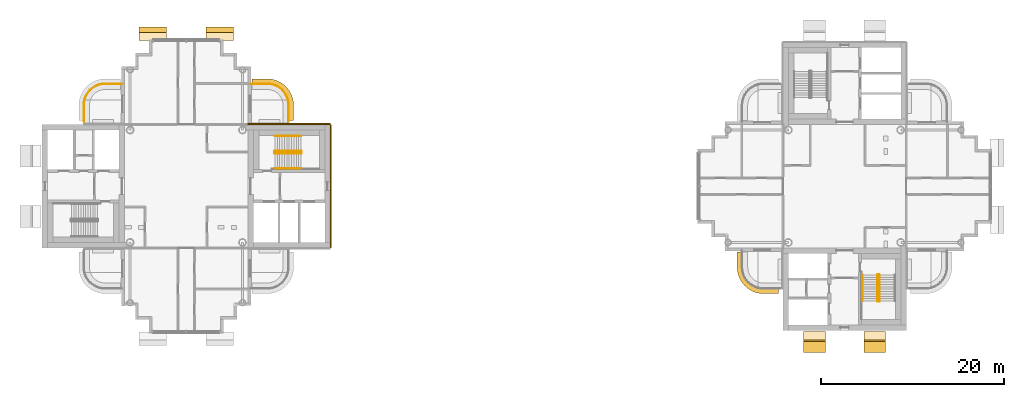
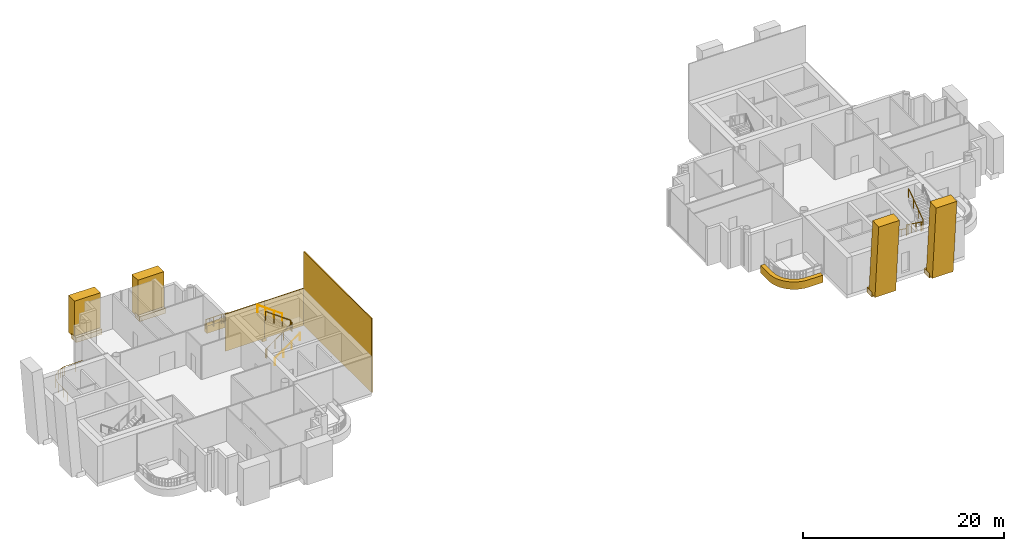
# One storey, part 17 of 20: 13 coverings, 7 railings.
"""IFC4 building model written with IfcOpenShell, lengths in metres."""

from ifc_helpers import new_model, si_unit, direction, frame, origin, origin_2d, place, context, subcontext, project, spatial, polyline, rectangle, circle, outline, extrude, material, layer, layer_set, material_profile, profile_set, type_object, element, save


model = new_model("IFC4")

# Units and contexts
model_context = context("Model", 3, precision=1e-05, world=origin(), true_north=direction((0.0, 1.0)))
body_context = subcontext(model_context, "Body", "Model", "MODEL_VIEW")
ifc_project = project(units=[si_unit("LENGTHUNIT", "METRE"), si_unit("AREAUNIT", "SQUARE_METRE"), si_unit("VOLUMEUNIT", "CUBIC_METRE"), si_unit("PLANEANGLEUNIT", "RADIAN"), si_unit("MASSUNIT", "GRAM", prefix="KILO")], contexts=[model_context])

# Site, building, storey
site_placement = place(None, origin())
site = spatial("IfcSite", under=ifc_project, at=site_placement, CompositionType="ELEMENT")
building_placement = place(site_placement, origin())
building = spatial("IfcBuilding", under=site, at=building_placement, Name="Ipe Terrace Towers", CompositionType="ELEMENT")
storey_placement = place(building_placement, frame((0.0, 0.0, 242.39990234375)))
storey = spatial("IfcBuildingStorey", under=building, at=storey_placement, Name="L67", CompositionType="ELEMENT", Elevation=242.39990234375)

# Railings
ifc_material_1 = material(Name="Stainless steel S316", Category="steel")
railing_type_1 = type_object("IfcRailingType", Name="GUARD 1100", PredefinedType="BALUSTRADE", material=ifc_material_1)
railing_1_placement = place(storey_placement, frame((-43.070068359375, 11.199951171875, -0.02001953125)))
element("IfcRailing", 1, at=railing_1_placement, inside=storey, type_object=railing_type_1, Name="guard", PredefinedType="BALUSTRADE", context=body_context, shape_type="SweptSolid", body=[
    extrude(circle(Radius=0.02392578125, at=origin_2d()), frame((0.0, 0.0, 1.076171875), z_axis=(-1.0, 0.0, 0.0), x_axis=(0.0, -1.0, 0.0)), (0.0, 0.0, 1.0), 1.77783203125),
    extrude(circle(Radius=0.02392578125, at=origin_2d()), frame((-1.77783203125, 0.0, 1.076171875), z_axis=(-0.99790894031, -0.064635492184, 0.0), x_axis=(0.064635492184, -0.99790894031, 0.0)), (0.0, 0.0, 1.0), 0.309814453125),
    extrude(circle(Radius=0.02392578125, at=origin_2d()), frame((-2.0869140625, -0.02001953125, 1.076171875), z_axis=(-0.980824674538, -0.194892169718, 0.0), x_axis=(0.194892169718, -0.980824674538, 0.0)), (0.0, 0.0, 1.0), 0.306884765625),
    extrude(circle(Radius=0.02392578125, at=origin_2d()), frame((-2.387939453125, -0.079833984375, 1.076171875), z_axis=(-0.946598348228, -0.322415209212, 0.0), x_axis=(0.322415209212, -0.946598348228, 0.0)), (0.0, 0.0, 1.0), 0.307373046875),
    extrude(circle(Radius=0.02392578125, at=origin_2d()), frame((-2.678955078125, -0.178955078125, 1.076171875), z_axis=(-0.896952807524, -0.44212629539, 0.0), x_axis=(0.44212629539, -0.896952807524, 0.0)), (0.0, 0.0, 1.0), 0.3076171875),
    extrude(circle(Radius=0.02392578125, at=origin_2d()), frame((-2.954833984375, -0.31494140625, 1.076171875), z_axis=(-0.831806228742, -0.555066120228, 0.0), x_axis=(0.555066120228, -0.831806228742, 0.0)), (0.0, 0.0, 1.0), 0.307861328125),
    extrude(circle(Radius=0.02392578125, at=origin_2d()), frame((-3.2109375, -0.48583984375, 1.076171875), z_axis=(-0.752478137252, -0.658617227954, 0.0), x_axis=(0.658617227954, -0.752478137252, 0.0)), (0.0, 0.0, 1.0), 0.306884765625),
    extrude(circle(Radius=0.02392578125, at=origin_2d()), frame((-3.44189453125, -0.68798828125, 1.076171875), z_axis=(-0.658617227954, -0.752478137252, 0.0), x_axis=(0.752478137252, -0.658617227954, 0.0)), (0.0, 0.0, 1.0), 0.306884765625),
    extrude(circle(Radius=0.02392578125, at=origin_2d()), frame((-3.64404296875, -0.9189453125, 1.076171875), z_axis=(-0.555066120228, -0.831806228742, 0.0), x_axis=(0.831806228742, -0.555066120228, 0.0)), (0.0, 0.0, 1.0), 0.307861328125),
    extrude(circle(Radius=0.02392578125, at=origin_2d()), frame((-3.81494140625, -1.175048828125, 1.076171875), z_axis=(-0.44212629539, -0.896952807524, 0.0), x_axis=(0.896952807524, -0.44212629539, 0.0)), (0.0, 0.0, 1.0), 0.3076171875),
    extrude(circle(Radius=0.02392578125, at=origin_2d()), frame((-3.950927734375, -1.450927734375, 1.076171875), z_axis=(-0.322415209212, -0.946598348228, 0.0), x_axis=(0.946598348228, -0.322415209212, 0.0)), (0.0, 0.0, 1.0), 0.307373046875),
    extrude(circle(Radius=0.02392578125, at=origin_2d()), frame((-4.050048828125, -1.741943359375, 1.076171875), z_axis=(-0.194892169718, -0.980824674538, 0.0), x_axis=(0.980824674538, -0.194892169718, 0.0)), (0.0, 0.0, 1.0), 0.306884765625),
    extrude(circle(Radius=0.02392578125, at=origin_2d()), frame((-4.10986328125, -2.04296875, 1.076171875), z_axis=(-0.064635492184, -0.99790894031, 0.0), x_axis=(0.99790894031, -0.064635492184, 0.0)), (0.0, 0.0, 1.0), 0.309814453125),
    extrude(circle(Radius=0.02392578125, at=origin_2d()), frame((-4.1298828125, -2.35205078125, 1.076171875), z_axis=(0.0, -1.0, 0.0), x_axis=(1.0, 0.0, 0.0)), (0.0, 0.0, 1.0), 1.77783203125),
    extrude(circle(Radius=0.02099609375, at=origin_2d()), origin(), (0.0, 0.0, 1.0), 1.052001953125),
    extrude(circle(Radius=0.02099609375, at=origin_2d()), frame((-0.888916015625, 0.0, 0.0)), (0.0, 0.0, 1.0), 1.052001953125),
    extrude(circle(Radius=0.02099609375, at=origin_2d()), frame((-1.77783203125, 0.0, 0.0)), (0.0, 0.0, 1.0), 1.052001953125),
    extrude(circle(Radius=0.02099609375, at=origin_2d()), frame((-2.0869140625, -0.02001953125, 0.0)), (0.0, 0.0, 1.0), 1.052001953125),
    extrude(circle(Radius=0.02099609375, at=origin_2d()), frame((-2.387939453125, -0.079833984375, 0.0)), (0.0, 0.0, 1.0), 1.052001953125),
    extrude(circle(Radius=0.02099609375, at=origin_2d()), frame((-2.678955078125, -0.178955078125, 0.0)), (0.0, 0.0, 1.0), 1.052001953125),
    extrude(circle(Radius=0.02099609375, at=origin_2d()), frame((-2.954833984375, -0.31494140625, 0.0)), (0.0, 0.0, 1.0), 1.052001953125),
    extrude(circle(Radius=0.02099609375, at=origin_2d()), frame((-3.2109375, -0.48583984375, 0.0)), (0.0, 0.0, 1.0), 1.052001953125),
    extrude(circle(Radius=0.02099609375, at=origin_2d()), frame((-3.44189453125, -0.68798828125, 0.0)), (0.0, 0.0, 1.0), 1.052001953125),
    extrude(circle(Radius=0.02099609375, at=origin_2d()), frame((-3.64404296875, -0.9189453125, 0.0)), (0.0, 0.0, 1.0), 1.052001953125),
    extrude(circle(Radius=0.02099609375, at=origin_2d()), frame((-3.81494140625, -1.175048828125, 0.0)), (0.0, 0.0, 1.0), 1.052001953125),
    extrude(circle(Radius=0.02099609375, at=origin_2d()), frame((-3.950927734375, -1.450927734375, 0.0)), (0.0, 0.0, 1.0), 1.052001953125),
    extrude(circle(Radius=0.02099609375, at=origin_2d()), frame((-4.050048828125, -1.741943359375, 0.0)), (0.0, 0.0, 1.0), 1.052001953125),
    extrude(circle(Radius=0.02099609375, at=origin_2d()), frame((-4.10986328125, -2.04296875, 0.0)), (0.0, 0.0, 1.0), 1.052001953125),
    extrude(circle(Radius=0.02099609375, at=origin_2d()), frame((-4.1298828125, -2.35205078125, 0.0)), (0.0, 0.0, 1.0), 1.052001953125),
    extrude(circle(Radius=0.02099609375, at=origin_2d()), frame((-4.1298828125, -3.240966796875, 0.0)), (0.0, 0.0, 1.0), 1.052001953125),
    extrude(circle(Radius=0.02099609375, at=origin_2d()), frame((-4.1298828125, -4.1298828125, 0.0)), (0.0, 0.0, 1.0), 1.052001953125),
])
railing_2_placement = place(storey_placement, frame((-24.800048828125, 7.070068359375, -0.02001953125)))
element("IfcRailing", 2, at=railing_2_placement, inside=storey, type_object=railing_type_1, Name="guard", PredefinedType="BALUSTRADE", context=body_context, shape_type="SweptSolid", body=[
    extrude(circle(Radius=0.02392578125, at=origin_2d()), frame((0.0, 0.0, 1.076171875), z_axis=(0.0, 1.0, 0.0), x_axis=(-1.0, 0.0, 0.0)), (0.0, 0.0, 1.0), 1.77783203125),
    extrude(circle(Radius=0.02392578125, at=origin_2d()), frame((0.0, 1.77783203125, 1.076171875), z_axis=(-0.064635492184, 0.99790894031, 0.0), x_axis=(-0.99790894031, -0.064635492184, 0.0)), (0.0, 0.0, 1.0), 0.309814453125),
    extrude(circle(Radius=0.02392578125, at=origin_2d()), frame((-0.02001953125, 2.0869140625, 1.076171875), z_axis=(-0.194892169718, 0.980824674538, 0.0), x_axis=(-0.980824674538, -0.194892169718, 0.0)), (0.0, 0.0, 1.0), 0.306884765625),
    extrude(circle(Radius=0.02392578125, at=origin_2d()), frame((-0.079833984375, 2.387939453125, 1.076171875), z_axis=(-0.322415209212, 0.946598348228, 0.0), x_axis=(-0.946598348228, -0.322415209212, 0.0)), (0.0, 0.0, 1.0), 0.307373046875),
    extrude(circle(Radius=0.02392578125, at=origin_2d()), frame((-0.178955078125, 2.678955078125, 1.076171875), z_axis=(-0.44212629539, 0.896952807524, 0.0), x_axis=(-0.896952807524, -0.44212629539, 0.0)), (0.0, 0.0, 1.0), 0.3076171875),
    extrude(circle(Radius=0.02392578125, at=origin_2d()), frame((-0.31494140625, 2.954833984375, 1.076171875), z_axis=(-0.555066120228, 0.831806228742, 0.0), x_axis=(-0.831806228742, -0.555066120228, 0.0)), (0.0, 0.0, 1.0), 0.307861328125),
    extrude(circle(Radius=0.02392578125, at=origin_2d()), frame((-0.48583984375, 3.2109375, 1.076171875), z_axis=(-0.658617227954, 0.752478137252, 0.0), x_axis=(-0.752478137252, -0.658617227954, 0.0)), (0.0, 0.0, 1.0), 0.306884765625),
    extrude(circle(Radius=0.02392578125, at=origin_2d()), frame((-0.68798828125, 3.44189453125, 1.076171875), z_axis=(-0.752478137252, 0.658617227954, 0.0), x_axis=(-0.658617227954, -0.752478137252, 0.0)), (0.0, 0.0, 1.0), 0.306884765625),
    extrude(circle(Radius=0.02392578125, at=origin_2d()), frame((-0.9189453125, 3.64404296875, 1.076171875), z_axis=(-0.831806228742, 0.555066120228, 0.0), x_axis=(-0.555066120228, -0.831806228742, 0.0)), (0.0, 0.0, 1.0), 0.307861328125),
    extrude(circle(Radius=0.02392578125, at=origin_2d()), frame((-1.175048828125, 3.81494140625, 1.076171875), z_axis=(-0.896952807524, 0.44212629539, 0.0), x_axis=(-0.44212629539, -0.896952807524, 0.0)), (0.0, 0.0, 1.0), 0.3076171875),
    extrude(circle(Radius=0.02392578125, at=origin_2d()), frame((-1.450927734375, 3.950927734375, 1.076171875), z_axis=(-0.946598348228, 0.322415209212, 0.0), x_axis=(-0.322415209212, -0.946598348228, 0.0)), (0.0, 0.0, 1.0), 0.307373046875),
    extrude(circle(Radius=0.02392578125, at=origin_2d()), frame((-1.741943359375, 4.050048828125, 1.076171875), z_axis=(-0.980824674538, 0.194892169718, 0.0), x_axis=(-0.194892169718, -0.980824674538, 0.0)), (0.0, 0.0, 1.0), 0.306884765625),
    extrude(circle(Radius=0.02392578125, at=origin_2d()), frame((-2.04296875, 4.10986328125, 1.076171875), z_axis=(-0.99790894031, 0.064635492184, 0.0), x_axis=(-0.064635492184, -0.99790894031, 0.0)), (0.0, 0.0, 1.0), 0.309814453125),
    extrude(circle(Radius=0.02392578125, at=origin_2d()), frame((-2.35205078125, 4.1298828125, 1.076171875), z_axis=(-1.0, 0.0, 0.0), x_axis=(0.0, -1.0, 0.0)), (0.0, 0.0, 1.0), 1.77783203125),
    extrude(circle(Radius=0.02099609375, at=origin_2d()), origin(), (0.0, 0.0, 1.0), 1.052001953125),
    extrude(circle(Radius=0.02099609375, at=origin_2d()), frame((0.0, 0.888916015625, 0.0)), (0.0, 0.0, 1.0), 1.052001953125),
    extrude(circle(Radius=0.02099609375, at=origin_2d()), frame((0.0, 1.77783203125, 0.0)), (0.0, 0.0, 1.0), 1.052001953125),
    extrude(circle(Radius=0.02099609375, at=origin_2d()), frame((-0.02001953125, 2.0869140625, 0.0)), (0.0, 0.0, 1.0), 1.052001953125),
    extrude(circle(Radius=0.02099609375, at=origin_2d()), frame((-0.079833984375, 2.387939453125, 0.0)), (0.0, 0.0, 1.0), 1.052001953125),
    extrude(circle(Radius=0.02099609375, at=origin_2d()), frame((-0.178955078125, 2.678955078125, 0.0)), (0.0, 0.0, 1.0), 1.052001953125),
    extrude(circle(Radius=0.02099609375, at=origin_2d()), frame((-0.31494140625, 2.954833984375, 0.0)), (0.0, 0.0, 1.0), 1.052001953125),
    extrude(circle(Radius=0.02099609375, at=origin_2d()), frame((-0.48583984375, 3.2109375, 0.0)), (0.0, 0.0, 1.0), 1.052001953125),
    extrude(circle(Radius=0.02099609375, at=origin_2d()), frame((-0.68798828125, 3.44189453125, 0.0)), (0.0, 0.0, 1.0), 1.052001953125),
    extrude(circle(Radius=0.02099609375, at=origin_2d()), frame((-0.9189453125, 3.64404296875, 0.0)), (0.0, 0.0, 1.0), 1.052001953125),
    extrude(circle(Radius=0.02099609375, at=origin_2d()), frame((-1.175048828125, 3.81494140625, 0.0)), (0.0, 0.0, 1.0), 1.052001953125),
    extrude(circle(Radius=0.02099609375, at=origin_2d()), frame((-1.450927734375, 3.950927734375, 0.0)), (0.0, 0.0, 1.0), 1.052001953125),
    extrude(circle(Radius=0.02099609375, at=origin_2d()), frame((-1.741943359375, 4.050048828125, 0.0)), (0.0, 0.0, 1.0), 1.052001953125),
    extrude(circle(Radius=0.02099609375, at=origin_2d()), frame((-2.04296875, 4.10986328125, 0.0)), (0.0, 0.0, 1.0), 1.052001953125),
    extrude(circle(Radius=0.02099609375, at=origin_2d()), frame((-2.35205078125, 4.1298828125, 0.0)), (0.0, 0.0, 1.0), 1.052001953125),
    extrude(circle(Radius=0.02099609375, at=origin_2d()), frame((-3.240966796875, 4.1298828125, 0.0)), (0.0, 0.0, 1.0), 1.052001953125),
    extrude(circle(Radius=0.02099609375, at=origin_2d()), frame((-4.1298828125, 4.1298828125, 0.0)), (0.0, 0.0, 1.0), 1.052001953125),
])

# Coverings
ifc_material_2 = material(Name="Concrete C50/60 precast, buff finish", Category="concrete")
ifc_layer_1 = layer(ifc_material_2, 0.1201171875)
ifc_layer_set_1 = layer_set([ifc_layer_1], Name="STONE CORE CLADDING 120")
covering_type_1 = type_object("IfcCoveringType", Name="STONE CORE CLADDING 120", PredefinedType="CLADDING", material=ifc_layer_set_1)
covering_1_placement = place(storey_placement, frame((-27.0, 6.81005859375, 0.0), z_axis=(0.0, 0.0, 1.0), x_axis=(-1.0, 0.0, 0.0)))
element("IfcCovering", 3, at=covering_1_placement, inside=storey, type_object=covering_type_1, Name="stone core cladding", PredefinedType="CLADDING", context=body_context, shape_type="SweptSolid", body=[
    extrude(rectangle(XDim=4.5, YDim=0.1201171875, at=origin_2d()), origin(), (0.0, 0.0, 1.0), 4.5),
])
covering_2_placement = place(storey_placement, frame((-20.18994140625, 0.0, 0.0), z_axis=(0.0, 0.0, 1.0), x_axis=(0.0, 1.0, 0.0)))
element("IfcCovering", 4, at=covering_2_placement, inside=storey, type_object=covering_type_1, Name="stone core cladding", PredefinedType="CLADDING", context=body_context, shape_type="SweptSolid", body=[
    extrude(rectangle(XDim=13.5, YDim=0.1201171875, at=origin_2d()), origin(), (0.0, 0.0, 1.0), 9.0),
])
covering_3_placement = place(storey_placement, frame((-22.5, 6.81005859375, 0.0), z_axis=(0.0, 0.0, 1.0), x_axis=(-1.0, 0.0, 0.0)))
element("IfcCovering", 5, at=covering_3_placement, inside=storey, type_object=covering_type_1, Name="stone core cladding", PredefinedType="CLADDING", context=body_context, shape_type="SweptSolid", body=[
    extrude(rectangle(XDim=4.5, YDim=0.1201171875, at=origin_2d()), origin(), (0.0, 0.0, 1.0), 4.5),
])
ifc_material_3 = material(Name="Concrete C50/60 precast, buff finish", Category="concrete")
ifc_layer_2 = layer(ifc_material_3, 0.5)
ifc_layer_set_2 = layer_set([ifc_layer_2], Name="STONE EDGE BAND 500 x 900")
covering_type_2 = type_object("IfcCoveringType", Name="STONE EDGE BAND 500 x 900", PredefinedType="CLADDING", material=ifc_layer_set_2)
covering_4_placement = place(storey_placement, frame((0.0, 0.0, -0.719970703125)))
element("IfcCovering", 6, at=covering_4_placement, inside=storey, type_object=covering_type_2, Name="stone edge band", PredefinedType="CLADDING", context=body_context, shape_type="SweptSolid", body=[
    extrude(outline(polyline([(-27.14990234375, 11.75), (-28.800048828125, 11.75), (-28.800048828125, 11.25), (-27.14990234375, 11.25), (-26.8369140625, 11.22900390625), (-26.529052734375, 11.16796875), (-26.23193359375, 11.06689453125), (-25.949951171875, 10.927978515625), (-25.68896484375, 10.75390625), (-25.452880859375, 10.547119140625), (-25.24609375, 10.31103515625), (-25.072021484375, 10.050048828125), (-24.93310546875, 9.76806640625), (-24.83203125, 9.470947265625), (-24.77099609375, 9.1630859375), (-24.75, 8.85009765625), (-24.75, 7.199951171875), (-24.25, 7.199951171875), (-24.25, 8.85009765625), (-24.2509765625, 8.883056640625), (-24.27197265625, 9.196044921875), (-24.280029296875, 9.260986328125), (-24.341064453125, 9.569091796875), (-24.35791015625, 9.632080078125), (-24.458984375, 9.928955078125), (-24.48388671875, 9.989990234375), (-24.623046875, 10.27099609375), (-24.656005859375, 10.327880859375), (-24.830078125, 10.589111328125), (-24.8701171875, 10.64111328125), (-25.076904296875, 10.876953125), (-25.123046875, 10.923095703125), (-25.35888671875, 11.1298828125), (-25.410888671875, 11.169921875), (-25.672119140625, 11.343994140625), (-25.72900390625, 11.376953125), (-26.010009765625, 11.51611328125), (-26.071044921875, 11.541015625), (-26.367919921875, 11.64208984375), (-26.430908203125, 11.658935546875), (-26.739013671875, 11.719970703125), (-26.803955078125, 11.72802734375), (-27.116943359375, 11.7490234375), (-27.14990234375, 11.75)])), origin(), (0.0, 0.0, 1.0), 0.900146484375),
])
covering_5_placement = place(storey_placement, frame((0.0, 0.0, -0.719970703125)))
element("IfcCovering", 7, at=covering_5_placement, inside=storey, type_object=covering_type_2, Name="stone edge band", PredefinedType="CLADDING", context=body_context, shape_type="SweptSolid", body=[
    extrude(outline(polyline([(24.25, -8.85009765625), (24.2509765625, -8.883056640625), (24.27197265625, -9.196044921875), (24.280029296875, -9.260986328125), (24.341064453125, -9.569091796875), (24.35791015625, -9.632080078125), (24.458984375, -9.928955078125), (24.48388671875, -9.989990234375), (24.623046875, -10.27099609375), (24.656005859375, -10.327880859375), (24.830078125, -10.589111328125), (24.8701171875, -10.64111328125), (25.076904296875, -10.876953125), (25.123046875, -10.923095703125), (25.35888671875, -11.1298828125), (25.410888671875, -11.169921875), (25.672119140625, -11.343994140625), (25.72900390625, -11.376953125), (26.010009765625, -11.51611328125), (26.071044921875, -11.541015625), (26.367919921875, -11.64208984375), (26.430908203125, -11.658935546875), (26.739013671875, -11.719970703125), (26.803955078125, -11.72802734375), (27.116943359375, -11.7490234375), (27.14990234375, -11.75), (28.800048828125, -11.75), (28.800048828125, -11.25), (27.14990234375, -11.25), (26.8369140625, -11.22900390625), (26.529052734375, -11.16796875), (26.23193359375, -11.06689453125), (25.949951171875, -10.927978515625), (25.68896484375, -10.75390625), (25.452880859375, -10.547119140625), (25.24609375, -10.31103515625), (25.072021484375, -10.050048828125), (24.93310546875, -9.76806640625), (24.83203125, -9.470947265625), (24.77099609375, -9.1630859375), (24.75, -8.85009765625), (24.75, -7.199951171875), (24.25, -7.199951171875), (24.25, -8.85009765625)])), origin(), (0.0, 0.0, 1.0), 0.900146484375),
])
ifc_material_4 = material(Name="Concrete C50/60 precast, buff finish", Category="concrete")
ifc_material_profile_1 = material_profile(ifc_material_4, rectangle(XDim=2.39990234375, YDim=1.199951171875, at=origin_2d()), Name="STONE FIN 2400 x 1200")
ifc_profile_set_1 = profile_set([ifc_material_profile_1], Name="Concrete C50/60 precast, buff finish")
covering_type_3 = type_object("IfcCoveringType", Name="STONE FIN 2400 x 1200", PredefinedType="USERDEFINED", material=ifc_profile_set_1)
for number, where, z_axis, x_axis, name in (
    (8, (32.699951171875, -16.839111328125, 0.0), (0.0, -0.082589061589, 0.996583687859), (1.0, 0.0, 0.0), "stone fin"),
    (9, (39.300048828125, -16.839111328125, 0.0), (0.0, -0.082589061589, 0.996583687859), (1.0, 0.0, 0.0), "stone fin"),
):
    element("IfcCovering", number, at=place(storey_placement, frame(where, z_axis=z_axis, x_axis=x_axis)), inside=storey, type_object=covering_type_3, Name=name, ObjectType="FIN", PredefinedType="USERDEFINED", context=body_context, shape_type="SweptSolid", body=[
        extrude(rectangle(XDim=2.39990234375, YDim=1.199951171875, at=origin_2d()), origin(), (0.0, 0.0, 1.0), 9.03076171875),
    ])
ifc_material_5 = material(Name="Concrete C50/60 precast, buff finish", Category="concrete")
ifc_material_profile_2 = material_profile(ifc_material_5, rectangle(XDim=3.0, YDim=1.199951171875, at=origin_2d()), Name="STONE FIN CORNER 3000 x 1200")
ifc_profile_set_2 = profile_set([ifc_material_profile_2], Name="Concrete C50/60 precast, buff finish")
covering_type_4 = type_object("IfcCoveringType", Name="STONE FIN CORNER 3000 x 1200", PredefinedType="USERDEFINED", material=ifc_profile_set_2)
for number, where, z_axis, x_axis, name in (
    (10, (-32.35009765625, 16.839111328125, 0.0), (0.0, 0.0, 1.0), (-1.0, 0.0, 0.0), "stone fin"),
    (11, (-39.64990234375, 16.839111328125, 0.0), (0.0, 0.0, 1.0), (-1.0, 0.0, 0.0), "stone fin"),
):
    element("IfcCovering", number, at=place(storey_placement, frame(where, z_axis=z_axis, x_axis=x_axis)), inside=storey, type_object=covering_type_4, Name=name, ObjectType="FIN", PredefinedType="USERDEFINED", context=body_context, shape_type="SweptSolid", body=[
        extrude(rectangle(XDim=3.0, YDim=1.199951171875, at=origin_2d()), origin(), (0.0, 0.0, 1.0), 4.5),
    ])
ifc_material_6 = material(Name="Concrete C50/60 precast, buff finish", Category="concrete")
covering_type_5 = type_object("IfcCoveringType", Name="STONE FIN SHELF 2400 x 600", PredefinedType="CLADDING", material=ifc_material_6)
for number, where, z_axis, x_axis, name in (
    (12, (32.699951171875, -16.34912109375, -0.349853515625), (0.0, 0.0, 1.0), (1.0, 0.0, 0.0), "stone fin shelf"),
    (13, (39.300048828125, -16.34912109375, -0.349853515625), (0.0, 0.0, 1.0), (1.0, 0.0, 0.0), "stone fin shelf"),
):
    element("IfcCovering", number, at=place(storey_placement, frame(where, z_axis=z_axis, x_axis=x_axis)), inside=storey, type_object=covering_type_5, Name=name, PredefinedType="CLADDING", context=body_context, shape_type="SweptSolid", body=[
        extrude(rectangle(XDim=2.39990234375, YDim=0.97900390625, at=origin_2d()), origin(), (0.0, 0.0, 1.0), 0.60009765625),
    ])
ifc_material_7 = material(Name="Concrete C50/60 precast, buff finish", Category="concrete")
covering_type_6 = type_object("IfcCoveringType", Name="STONE FIN SHELF 3000 x 600", PredefinedType="CLADDING", material=ifc_material_7)
for number, where, z_axis, x_axis, name in (
    (14, (-32.35009765625, 16.376953125, -0.349853515625), (0.0, 0.0, 1.0), (-1.0, 0.0, 0.0), "stone fin shelf"),
    (15, (-39.64990234375, 16.376953125, -0.349853515625), (0.0, 0.0, 1.0), (-1.0, 0.0, 0.0), "stone fin shelf"),
):
    element("IfcCovering", number, at=place(storey_placement, frame(where, z_axis=z_axis, x_axis=x_axis)), inside=storey, type_object=covering_type_6, Name=name, PredefinedType="CLADDING", context=body_context, shape_type="SweptSolid", body=[
        extrude(rectangle(XDim=3.0, YDim=0.923095703125, at=origin_2d()), origin(), (0.0, 0.0, 1.0), 0.60009765625),
    ])

# Railings
ifc_material_8 = material(Name="Steel S355", Category="steel")
railing_type_2 = type_object("IfcRailingType", Name="Stair guard 1100", PredefinedType="GUARDRAIL", material=ifc_material_8)
railing_3_placement = place(storey_placement, frame((-26.35009765625, 3.800048828125, 0.0)))
element("IfcRailing", 16, at=railing_3_placement, inside=storey, type_object=railing_type_2, Name="L67 T1-ST1 stair guard 1", PredefinedType="GUARDRAIL", context=body_context, shape_type="SweptSolid", body=[
    extrude(circle(Radius=0.02392578125, at=origin_2d()), frame((0.0, 0.0, 1.076171875), z_axis=(0.0, -1.0, 0.0), x_axis=(1.0, 0.0, 0.0)), (0.0, 0.0, 1.0), 0.150146484375),
    extrude(circle(Radius=0.02392578125, at=origin_2d()), frame((0.0, -0.150146484375, 1.076171875), z_axis=(0.249802250048, -0.248583702486, 0.935844527007), x_axis=(0.705375805398, 0.708833529934, 0.0)), (0.0, 0.0, 1.0), 0.200439453125),
    extrude(circle(Radius=0.02392578125, at=origin_2d()), frame((0.050048828125, -0.199951171875, 1.263671875), z_axis=(0.811100754333, 0.0, 0.584906459462), x_axis=(0.0, 1.0, 0.0)), (0.0, 0.0, 1.0), 3.526123046875),
    extrude(circle(Radius=0.02392578125, at=origin_2d()), frame((2.91015625, -0.199951171875, 3.326171875), z_axis=(0.708833529934, 0.705375805398, 0.0), x_axis=(-0.705375805398, 0.708833529934, 0.0)), (0.0, 0.0, 1.0), 0.070556640625),
    extrude(circle(Radius=0.02392578125, at=origin_2d()), frame((2.960205078125, -0.150146484375, 3.326171875), z_axis=(0.0, 1.0, 0.0), x_axis=(-1.0, 0.0, 0.0)), (0.0, 0.0, 1.0), 0.150146484375),
    extrude(circle(Radius=0.02392578125, at=origin_2d()), frame((2.960205078125, 0.0, 3.326171875), z_axis=(-0.249726431254, 0.249726431254, 0.935560483917), x_axis=(-0.707106781187, -0.707106781187, 0.0)), (0.0, 0.0, 1.0), 0.200439453125),
    extrude(circle(Radius=0.02392578125, at=origin_2d()), frame((2.91015625, 0.050048828125, 3.513671875), z_axis=(-0.811100754333, 0.0, 0.584906459462), x_axis=(0.0, -1.0, 0.0)), (0.0, 0.0, 1.0), 3.526123046875),
    extrude(circle(Radius=0.02099609375, at=origin_2d()), origin(), (0.0, 0.0, 1.0), 1.052001953125),
    extrude(circle(Radius=0.02099609375, at=origin_2d()), frame((0.0, -0.150146484375, 0.0)), (0.0, 0.0, 1.0), 1.052001953125),
    extrude(circle(Radius=0.02099609375, at=origin_2d()), frame((0.050048828125, -0.199951171875, 0.1875)), (0.0, 0.0, 1.0), 1.052001953125),
    extrude(circle(Radius=0.02099609375, at=origin_2d()), frame((1.00341796875, -0.199951171875, 0.875)), (0.0, 0.0, 1.0), 1.052001953125),
    extrude(circle(Radius=0.02099609375, at=origin_2d()), frame((1.956787109375, -0.199951171875, 1.5625)), (0.0, 0.0, 1.0), 1.052001953125),
    extrude(circle(Radius=0.02099609375, at=origin_2d()), frame((2.91015625, -0.199951171875, 2.25)), (0.0, 0.0, 1.0), 1.052001953125),
    extrude(circle(Radius=0.02099609375, at=origin_2d()), frame((2.960205078125, -0.150146484375, 2.25)), (0.0, 0.0, 1.0), 1.052001953125),
    extrude(circle(Radius=0.02099609375, at=origin_2d()), frame((2.960205078125, 0.0, 2.25)), (0.0, 0.0, 1.0), 1.052001953125),
    extrude(circle(Radius=0.02099609375, at=origin_2d()), frame((2.91015625, 0.050048828125, 2.4375)), (0.0, 0.0, 1.0), 1.052001953125),
    extrude(circle(Radius=0.02099609375, at=origin_2d()), frame((1.956787109375, 0.050048828125, 3.125)), (0.0, 0.0, 1.0), 1.052001953125),
    extrude(circle(Radius=0.02099609375, at=origin_2d()), frame((1.00341796875, 0.050048828125, 3.8125)), (0.0, 0.0, 1.0), 1.052001953125),
    extrude(circle(Radius=0.02099609375, at=origin_2d()), frame((0.050048828125, 0.050048828125, 4.5)), (0.0, 0.0, 1.0), 1.052001953125),
])
railing_4_placement = place(storey_placement, frame((39.800048828125, -9.64990234375, 0.0)))
element("IfcRailing", 17, at=railing_4_placement, inside=storey, type_object=railing_type_2, Name="L67 T2-ST2 stair guard 1", PredefinedType="GUARDRAIL", context=body_context, shape_type="SweptSolid", body=[
    extrude(circle(Radius=0.02392578125, at=origin_2d()), frame((0.0, 0.0, 1.076171875), z_axis=(-1.0, 0.0, 0.0), x_axis=(0.0, -1.0, 0.0)), (0.0, 0.0, 1.0), 0.150146484375),
    extrude(circle(Radius=0.02392578125, at=origin_2d()), frame((-0.150146484375, 0.0, 1.076171875), z_axis=(-0.248583702486, -0.249802250048, 0.935844527007), x_axis=(0.708833529934, -0.705375805398, 0.0)), (0.0, 0.0, 1.0), 0.200439453125),
    extrude(circle(Radius=0.02392578125, at=origin_2d()), frame((-0.199951171875, -0.050048828125, 1.263671875), z_axis=(0.0, -0.811100754333, 0.584906459462), x_axis=(1.0, 0.0, 0.0)), (0.0, 0.0, 1.0), 3.526123046875),
    extrude(circle(Radius=0.02392578125, at=origin_2d()), frame((-0.199951171875, -2.91015625, 3.326171875), z_axis=(0.705375805398, -0.708833529934, 0.0), x_axis=(0.708833529934, 0.705375805398, 0.0)), (0.0, 0.0, 1.0), 0.070556640625),
    extrude(circle(Radius=0.02392578125, at=origin_2d()), frame((-0.150146484375, -2.960205078125, 3.326171875), z_axis=(1.0, 0.0, 0.0), x_axis=(0.0, 1.0, 0.0)), (0.0, 0.0, 1.0), 0.150146484375),
    extrude(circle(Radius=0.02392578125, at=origin_2d()), frame((0.0, -2.960205078125, 3.326171875), z_axis=(0.249726431254, 0.249726431254, 0.935560483917), x_axis=(-0.707106781187, 0.707106781187, 0.0)), (0.0, 0.0, 1.0), 0.200439453125),
    extrude(circle(Radius=0.02392578125, at=origin_2d()), frame((0.050048828125, -2.91015625, 3.513671875), z_axis=(0.0, 0.811100754333, 0.584906459462), x_axis=(-1.0, 0.0, 0.0)), (0.0, 0.0, 1.0), 3.526123046875),
    extrude(circle(Radius=0.02099609375, at=origin_2d()), origin(), (0.0, 0.0, 1.0), 1.052001953125),
    extrude(circle(Radius=0.02099609375, at=origin_2d()), frame((-0.150146484375, 0.0, 0.0)), (0.0, 0.0, 1.0), 1.052001953125),
    extrude(circle(Radius=0.02099609375, at=origin_2d()), frame((-0.199951171875, -0.050048828125, 0.1875)), (0.0, 0.0, 1.0), 1.052001953125),
    extrude(circle(Radius=0.02099609375, at=origin_2d()), frame((-0.199951171875, -1.00341796875, 0.875)), (0.0, 0.0, 1.0), 1.052001953125),
    extrude(circle(Radius=0.02099609375, at=origin_2d()), frame((-0.199951171875, -1.956787109375, 1.5625)), (0.0, 0.0, 1.0), 1.052001953125),
    extrude(circle(Radius=0.02099609375, at=origin_2d()), frame((-0.199951171875, -2.91015625, 2.25)), (0.0, 0.0, 1.0), 1.052001953125),
    extrude(circle(Radius=0.02099609375, at=origin_2d()), frame((-0.150146484375, -2.960205078125, 2.25)), (0.0, 0.0, 1.0), 1.052001953125),
    extrude(circle(Radius=0.02099609375, at=origin_2d()), frame((0.0, -2.960205078125, 2.25)), (0.0, 0.0, 1.0), 1.052001953125),
    extrude(circle(Radius=0.02099609375, at=origin_2d()), frame((0.050048828125, -2.91015625, 2.4375)), (0.0, 0.0, 1.0), 1.052001953125),
    extrude(circle(Radius=0.02099609375, at=origin_2d()), frame((0.050048828125, -1.956787109375, 3.125)), (0.0, 0.0, 1.0), 1.052001953125),
    extrude(circle(Radius=0.02099609375, at=origin_2d()), frame((0.050048828125, -1.00341796875, 3.8125)), (0.0, 0.0, 1.0), 1.052001953125),
    extrude(circle(Radius=0.02099609375, at=origin_2d()), frame((0.050048828125, -0.050048828125, 4.5)), (0.0, 0.0, 1.0), 1.052001953125),
])
ifc_material_9 = material(Name="Stainless steel grade 304", Category="steel")
railing_type_3 = type_object("IfcRailingType", Name="Stair handrail 900", PredefinedType="HANDRAIL", material=ifc_material_9)
railing_5_placement = place(storey_placement, frame((-26.300048828125, 1.949951171875, 0.1875)))
element("IfcRailing", 18, at=railing_5_placement, inside=storey, type_object=railing_type_3, Name="L67 T1-ST1 stair handrail 1", PredefinedType="HANDRAIL", context=body_context, shape_type="SweptSolid", body=[
    extrude(circle(Radius=0.02392578125, at=origin_2d()), frame((0.0, 0.0, 0.8759765625), z_axis=(0.811100754333, 0.0, 0.584906459462), x_axis=(0.0, 1.0, 0.0)), (0.0, 0.0, 1.0), 3.526123046875),
    extrude(circle(Radius=0.02099609375, at=origin_2d()), origin(), (0.0, 0.0, 1.0), 0.851806640625),
    extrude(circle(Radius=0.02099609375, at=origin_2d()), frame((0.953369140625, 0.0, 0.6875)), (0.0, 0.0, 1.0), 0.851806640625),
    extrude(circle(Radius=0.02099609375, at=origin_2d()), frame((1.90673828125, 0.0, 1.375)), (0.0, 0.0, 1.0), 0.851806640625),
    extrude(circle(Radius=0.02099609375, at=origin_2d()), frame((2.860107421875, 0.0, 2.0625)), (0.0, 0.0, 1.0), 0.851806640625),
])
railing_6_placement = place(storey_placement, frame((-23.43994140625, 5.5, 2.4375)))
element("IfcRailing", 19, at=railing_6_placement, inside=storey, type_object=railing_type_3, Name="L67 T1-ST1 stair handrail 2", PredefinedType="HANDRAIL", context=body_context, shape_type="SweptSolid", body=[
    extrude(circle(Radius=0.02392578125, at=origin_2d()), frame((0.0, 0.0, 0.8759765625), z_axis=(-0.811100754333, 0.0, 0.584906459462), x_axis=(0.0, -1.0, 0.0)), (0.0, 0.0, 1.0), 3.526123046875),
    extrude(circle(Radius=0.02099609375, at=origin_2d()), origin(), (0.0, 0.0, 1.0), 0.851806640625),
    extrude(circle(Radius=0.02099609375, at=origin_2d()), frame((-0.953369140625, 0.0, 0.6875)), (0.0, 0.0, 1.0), 0.851806640625),
    extrude(circle(Radius=0.02099609375, at=origin_2d()), frame((-1.90673828125, 0.0, 1.375)), (0.0, 0.0, 1.0), 0.851806640625),
    extrude(circle(Radius=0.02099609375, at=origin_2d()), frame((-2.860107421875, 0.0, 2.0625)), (0.0, 0.0, 1.0), 0.851806640625),
])
railing_7_placement = place(storey_placement, frame((37.949951171875, -9.699951171875, 0.1875)))
element("IfcRailing", 20, at=railing_7_placement, inside=storey, type_object=railing_type_3, Name="L67 T2-ST2 stair handrail 1", PredefinedType="HANDRAIL", context=body_context, shape_type="SweptSolid", body=[
    extrude(circle(Radius=0.02392578125, at=origin_2d()), frame((0.0, 0.0, 0.8759765625), z_axis=(0.0, -0.811100754333, 0.584906459462), x_axis=(1.0, 0.0, 0.0)), (0.0, 0.0, 1.0), 3.526123046875),
    extrude(circle(Radius=0.02099609375, at=origin_2d()), origin(), (0.0, 0.0, 1.0), 0.851806640625),
    extrude(circle(Radius=0.02099609375, at=origin_2d()), frame((0.0, -0.953369140625, 0.6875)), (0.0, 0.0, 1.0), 0.851806640625),
    extrude(circle(Radius=0.02099609375, at=origin_2d()), frame((0.0, -1.90673828125, 1.375)), (0.0, 0.0, 1.0), 0.851806640625),
    extrude(circle(Radius=0.02099609375, at=origin_2d()), frame((0.0, -2.860107421875, 2.0625)), (0.0, 0.0, 1.0), 0.851806640625),
])

save(model, "model.ifc")
